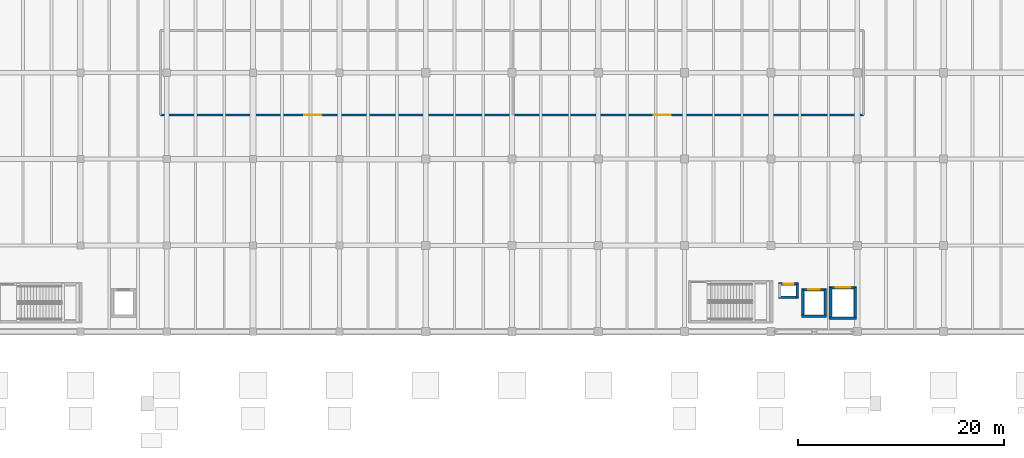
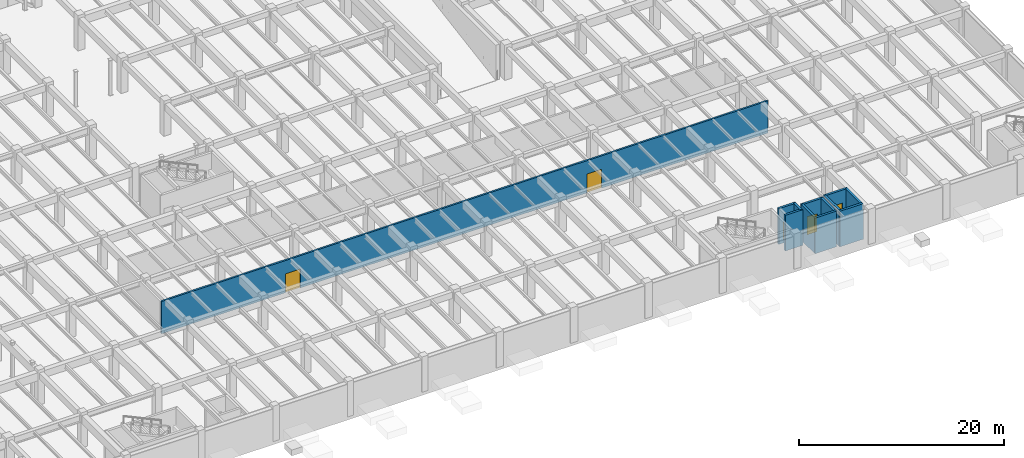
# One storey, part 45 of 63: 12 walls, 5 doors, 5 openings.
"""IFC4 building model written with IfcOpenShell, lengths in metres."""

from ifc_helpers import new_model, si_unit, direction, frame, frame_2d, origin, place, context, subcontext, project, spatial, rectangle, extrude, material, layer, layer_set, type_object, element, fill, save


model = new_model("IFC4")

# Units and contexts
model_context = context("Model", 3, precision=1e-05, world=origin(), true_north=direction((0.0, 1.0)))
body_context = subcontext(model_context, "Body", "Model", "MODEL_VIEW")
ifc_project = project(units=[si_unit("LENGTHUNIT", "METRE"), si_unit("AREAUNIT", "SQUARE_METRE"), si_unit("VOLUMEUNIT", "CUBIC_METRE"), si_unit("PLANEANGLEUNIT", "RADIAN"), si_unit("MASSUNIT", "GRAM", prefix="KILO")], contexts=[model_context])

# Site, building, storey
site_placement = place(None, origin())
site = spatial("IfcSite", under=ifc_project, at=site_placement, CompositionType="ELEMENT")
building_placement = place(site_placement, origin())
building = spatial("IfcBuilding", under=site, at=building_placement, Name="Cumbredor Promenade Congress Hotel", CompositionType="ELEMENT")
storey_placement = place(building_placement, frame((0.0, 0.0, -4.199951171875)))
storey = spatial("IfcBuildingStorey", under=building, at=storey_placement, Name="B01", CompositionType="ELEMENT", Elevation=-4.199951171875)

# Wall, openings, doors
ifc_material_1 = material(Name="Concrete C40/50", Category="concrete")
ifc_layer_1 = layer(ifc_material_1, 0.199951171875, Name="Concrete C40/50", Category="concrete")
ifc_layer_set_1 = layer_set([ifc_layer_1], Name="Concrete C40/50")
wall_type_1 = type_object("IfcWallType", Name="WL-CORE-200", PredefinedType="SOLIDWALL", material=ifc_layer_set_1)
wall_1_placement = place(storey_placement, frame((91.800048828125, 29.5, 0.0), z_axis=(0.0, 0.0, 1.0), x_axis=(1.0, 0.0, 0.0)))
wall_1 = element("IfcWall", 1, at=wall_1_placement, inside=storey, type_object=wall_type_1, Name="B01 Interior Partition W-B01-02", PredefinedType="SOLIDWALL", context=body_context, shape_type="SweptSolid", body=[
    extrude(rectangle(XDim=68.39990234375, YDim=0.199951171875, at=frame_2d((34.199951171875, 0.0))), origin(), (0.0, 0.0, 1.0), 3.849853515625),
])
opening_1_placement = place(wall_1_placement, frame((14.0, 0.0, 0.0)))
opening_1 = element("IfcOpeningElement", 2, at=opening_1_placement, cuts=wall_1, Name="Opening FD-09", PredefinedType="OPENING", context=body_context, shape_type="SweptSolid", body=[
    extrude(rectangle(XDim=1.64990234375, YDim=2.25, at=frame_2d((0.824951171875, 1.125))), frame((0.0, 0.10986328125, 0.0), z_axis=(0.0, -1.0, 0.0), x_axis=(1.0, 0.0, 0.0)), (0.0, 0.0, 1.0), 0.219970703125),
])
opening_2_placement = place(wall_1_placement, frame((48.0, 0.0, 0.0)))
opening_2 = element("IfcOpeningElement", 3, at=opening_2_placement, cuts=wall_1, Name="Opening FD-09", PredefinedType="OPENING", context=body_context, shape_type="SweptSolid", body=[
    extrude(rectangle(XDim=1.64990234375, YDim=2.25, at=frame_2d((0.824951171875, 1.125))), frame((0.0, 0.10986328125, 0.0), z_axis=(0.0, -1.0, 0.0), x_axis=(1.0, 0.0, 0.0)), (0.0, 0.0, 1.0), 0.219970703125),
])
ifc_material_2 = material(Name="Painted galvanized steel fire door", Category="steel")
door_type_1 = type_object("IfcDoorType", Name="DR-PLANT-FD60-1600", OperationType="DOUBLE_DOOR_SINGLE_SWING", PredefinedType="DOOR", material=ifc_material_2)
door_1_placement = place(opening_1_placement, origin())
door_1 = element("IfcDoor", 4, at=door_1_placement, inside=storey, type_object=door_type_1, Name="B01 Interior Door W-B01-02-01", OperationType="DOUBLE_DOOR_SINGLE_SWING", OverallHeight=2.25, OverallWidth=1.64990234375, PredefinedType="DOOR", context=body_context, shape_type="SweptSolid", body=[
    extrude(rectangle(XDim=1.64990234375, YDim=2.25, at=frame_2d((0.824951171875, 1.125))), frame((0.0, 0.02490234375, 0.0), z_axis=(0.0, -1.0, 0.0), x_axis=(1.0, 0.0, 0.0)), (0.0, 0.0, 1.0), 0.050048828125),
])
fill(opening_1, door_1)
door_2_placement = place(opening_2_placement, origin())
door_2 = element("IfcDoor", 5, at=door_2_placement, inside=storey, type_object=door_type_1, Name="B01 Interior Door W-B01-02-02", OperationType="DOUBLE_DOOR_SINGLE_SWING", OverallHeight=2.25, OverallWidth=1.64990234375, PredefinedType="DOOR", context=body_context, shape_type="SweptSolid", body=[
    extrude(rectangle(XDim=1.64990234375, YDim=2.25, at=frame_2d((0.824951171875, 1.125))), frame((0.0, 0.02490234375, 0.0), z_axis=(0.0, -1.0, 0.0), x_axis=(1.0, 0.0, 0.0)), (0.0, 0.0, 1.0), 0.050048828125),
])
fill(opening_2, door_2)

# Wall
ifc_layer_2 = layer(ifc_material_1, 0.2548828125, Name="Concrete C40/50", Category="concrete")
ifc_layer_set_2 = layer_set([ifc_layer_2], Name="Concrete C40/50")
wall_type_2 = type_object("IfcWallType", Name="WL-SHAFT-250", PredefinedType="SOLIDWALL", material=ifc_layer_set_2)
wall_2_placement = place(storey_placement, frame((154.172607421875, 9.89990234375, -0.400146484375), z_axis=(0.0, 0.0, 1.0), x_axis=(1.0, 0.0, 0.0)))
element("IfcWall", 6, at=wall_2_placement, inside=storey, type_object=wall_type_2, Name="SHAFT-PL-07-B01 Shaft Wall South", PredefinedType="SOLIDWALL", context=body_context, shape_type="SweptSolid", body=[
    extrude(rectangle(XDim=2.454833984375, YDim=0.2548828125, at=frame_2d((1.2275390625, 0.0))), origin(), (0.0, 0.0, 1.0), 4.25),
])

# Wall, opening, door
wall_3_placement = place(storey_placement, frame((154.172607421875, 12.5, -0.400146484375), z_axis=(0.0, 0.0, 1.0), x_axis=(1.0, 0.0, 0.0)))
wall_3 = element("IfcWall", 7, at=wall_3_placement, inside=storey, type_object=wall_type_2, Name="SHAFT-PL-07-B01 Shaft Wall North", PredefinedType="SOLIDWALL", context=body_context, shape_type="SweptSolid", body=[
    extrude(rectangle(XDim=2.454833984375, YDim=0.2548828125, at=frame_2d((1.2275390625, 0.0))), origin(), (0.0, 0.0, 1.0), 4.25),
])
opening_3_placement = place(wall_3_placement, frame((0.677490234375, 0.0, 0.39990234375)))
opening_3 = element("IfcOpeningElement", 8, at=opening_3_placement, cuts=wall_3, Name="Opening LD-01", PredefinedType="OPENING", context=body_context, shape_type="SweptSolid", body=[
    extrude(rectangle(XDim=1.10009765625, YDim=2.14990234375, at=frame_2d((0.550048828125, 1.074951171875))), frame((0.0, 0.137451171875, 0.0), z_axis=(0.0, -1.0, 0.0), x_axis=(1.0, 0.0, 0.0)), (0.0, 0.0, 1.0), 0.27490234375),
])
ifc_material_3 = material(Name="Brushed stainless steel", Category="steel")
door_type_2 = type_object("IfcDoorType", Name="Lift Landing Sliding Door LD-01 1100x2150", OperationType="DOUBLE_DOOR_SLIDING", PredefinedType="DOOR", material=ifc_material_3)
door_3_placement = place(opening_3_placement, origin())
door_3 = element("IfcDoor", 9, at=door_3_placement, inside=storey, type_object=door_type_2, Name="B01 Ballroom Passenger Lift PL-07 Sliding Landing Door", OperationType="DOUBLE_DOOR_SLIDING", OverallHeight=2.14990234375, OverallWidth=1.10009765625, PredefinedType="DOOR", context=body_context, shape_type="SweptSolid", body=[
    extrude(rectangle(XDim=1.10009765625, YDim=2.14990234375, at=frame_2d((0.550048828125, 1.074951171875))), frame((0.0, 0.02490234375, 0.0), z_axis=(0.0, -1.0, 0.0), x_axis=(1.0, 0.0, 0.0)), (0.0, 0.0, 1.0), 0.050048828125),
])
fill(opening_3, door_3)

# Walls
for number, where, z_axis, x_axis, name in (
    (10, (154.300048828125, 9.89990234375, -0.400146484375), (0.0, 0.0, 1.0), (0.0, 1.0, 0.0), "SHAFT-PL-07-B01 Shaft Wall West"),
    (11, (156.5, 9.89990234375, -0.400146484375), (0.0, 0.0, 1.0), (0.0, 1.0, 0.0), "SHAFT-PL-07-B01 Shaft Wall East"),
):
    element("IfcWall", number, at=place(storey_placement, frame(where, z_axis=z_axis, x_axis=x_axis)), inside=storey, type_object=wall_type_2, Name=name, PredefinedType="SOLIDWALL", context=body_context, shape_type="SweptSolid", body=[
        extrude(rectangle(XDim=2.60009765625, YDim=0.2548828125, at=frame_2d((1.300048828125, 0.0))), origin(), (0.0, 0.0, 1.0), 4.25),
    ])
wall_4_placement = place(storey_placement, frame((156.87255859375, 9.699951171875, -0.400146484375), z_axis=(0.0, 0.0, 1.0), x_axis=(1.0, 0.0, 0.0)))
element("IfcWall", 12, at=wall_4_placement, inside=storey, type_object=wall_type_2, Name="SHAFT-SV-02-B01 Shaft Wall South", PredefinedType="SOLIDWALL", context=body_context, shape_type="SweptSolid", body=[
    extrude(rectangle(XDim=2.655029296875, YDim=0.2548828125, at=frame_2d((1.32763671875, 0.0))), origin(), (0.0, 0.0, 1.0), 4.25),
])

# Wall, opening, door
wall_5_placement = place(storey_placement, frame((156.87255859375, 12.699951171875, -0.400146484375), z_axis=(0.0, 0.0, 1.0), x_axis=(1.0, 0.0, 0.0)))
wall_5 = element("IfcWall", 13, at=wall_5_placement, inside=storey, type_object=wall_type_2, Name="SHAFT-SV-02-B01 Shaft Wall North", PredefinedType="SOLIDWALL", context=body_context, shape_type="SweptSolid", body=[
    extrude(rectangle(XDim=2.655029296875, YDim=0.2548828125, at=frame_2d((1.32763671875, 0.0))), origin(), (0.0, 0.0, 1.0), 4.25),
])
opening_4_placement = place(wall_5_placement, frame((0.62744140625, 0.0, 0.39990234375)))
opening_4 = element("IfcOpeningElement", 14, at=opening_4_placement, cuts=wall_5, Name="Opening LD-03", PredefinedType="OPENING", context=body_context, shape_type="SweptSolid", body=[
    extrude(rectangle(XDim=1.39990234375, YDim=2.300048828125, at=frame_2d((0.699951171875, 1.14990234375))), frame((0.0, 0.137451171875, 0.0), z_axis=(0.0, -1.0, 0.0), x_axis=(1.0, 0.0, 0.0)), (0.0, 0.0, 1.0), 0.27490234375),
])
door_type_3 = type_object("IfcDoorType", Name="Service Lift Sliding Door LD-03 1400x2300", OperationType="DOUBLE_DOOR_SLIDING", PredefinedType="DOOR", material=ifc_material_3)
door_4_placement = place(opening_4_placement, origin())
door_4 = element("IfcDoor", 15, at=door_4_placement, inside=storey, type_object=door_type_3, Name="B01 Ballroom Service Lift SV-02 Sliding Landing Door", OperationType="DOUBLE_DOOR_SLIDING", OverallHeight=2.300048828125, OverallWidth=1.39990234375, PredefinedType="DOOR", context=body_context, shape_type="SweptSolid", body=[
    extrude(rectangle(XDim=1.39990234375, YDim=2.300048828125, at=frame_2d((0.699951171875, 1.14990234375))), frame((0.0, 0.02490234375, 0.0), z_axis=(0.0, -1.0, 0.0), x_axis=(1.0, 0.0, 0.0)), (0.0, 0.0, 1.0), 0.050048828125),
])
fill(opening_4, door_4)

# Walls
for number, where, z_axis, x_axis, name in (
    (16, (157.0, 9.699951171875, -0.400146484375), (0.0, 0.0, 1.0), (0.0, 1.0, 0.0), "SHAFT-SV-02-B01 Shaft Wall West"),
    (17, (159.39990234375, 9.699951171875, -0.400146484375), (0.0, 0.0, 1.0), (0.0, 1.0, 0.0), "SHAFT-SV-02-B01 Shaft Wall East"),
):
    element("IfcWall", number, at=place(storey_placement, frame(where, z_axis=z_axis, x_axis=x_axis)), inside=storey, type_object=wall_type_2, Name=name, PredefinedType="SOLIDWALL", context=body_context, shape_type="SweptSolid", body=[
        extrude(rectangle(XDim=3.0, YDim=0.2548828125, at=frame_2d((1.5, 0.0))), origin(), (0.0, 0.0, 1.0), 4.25),
    ])
wall_6_placement = place(storey_placement, frame((151.922607421875, 11.75, -0.400146484375), z_axis=(0.0, 0.0, 1.0), x_axis=(1.0, 0.0, 0.0)))
element("IfcWall", 18, at=wall_6_placement, inside=storey, type_object=wall_type_2, Name="RISER-MEP-R3-B01 Shaft Wall South", PredefinedType="SOLIDWALL", context=body_context, shape_type="SweptSolid", body=[
    extrude(rectangle(XDim=1.954833984375, YDim=0.2548828125, at=frame_2d((0.9775390625, 0.0))), origin(), (0.0, 0.0, 1.0), 4.25),
])

# Wall, opening, door
wall_7_placement = place(storey_placement, frame((151.922607421875, 13.050048828125, -0.400146484375), z_axis=(0.0, 0.0, 1.0), x_axis=(1.0, 0.0, 0.0)))
wall_7 = element("IfcWall", 19, at=wall_7_placement, inside=storey, type_object=wall_type_2, Name="RISER-MEP-R3-B01 Shaft Wall North", PredefinedType="SOLIDWALL", context=body_context, shape_type="SweptSolid", body=[
    extrude(rectangle(XDim=1.954833984375, YDim=0.2548828125, at=frame_2d((0.9775390625, 0.0))), origin(), (0.0, 0.0, 1.0), 4.25),
])
opening_5_placement = place(wall_7_placement, frame((0.507568359375, 0.0, 0.39990234375)))
opening_5 = element("IfcOpeningElement", 20, at=opening_5_placement, cuts=wall_7, Name="Opening FD-03", PredefinedType="OPENING", context=body_context, shape_type="SweptSolid", body=[
    extrude(rectangle(XDim=0.93994140625, YDim=2.10009765625, at=frame_2d((0.469970703125, 1.050048828125))), frame((0.0, 0.137451171875, 0.0), z_axis=(0.0, -1.0, 0.0), x_axis=(1.0, 0.0, 0.0)), (0.0, 0.0, 1.0), 0.27490234375),
])
door_type_4 = type_object("IfcDoorType", Name="DR-SGL-FD60-950", OperationType="NOTDEFINED", PredefinedType="DOOR", material=ifc_material_2)
door_5_placement = place(opening_5_placement, origin())
door_5 = element("IfcDoor", 21, at=door_5_placement, inside=storey, type_object=door_type_4, Name="B01 Ballroom MEP Riser Shaft R3 Access Door", OperationType="SINGLE_SWING_LEFT", OverallHeight=2.10009765625, OverallWidth=0.93994140625, PredefinedType="DOOR", context=body_context, shape_type="SweptSolid", body=[
    extrude(rectangle(XDim=0.93994140625, YDim=2.10009765625, at=frame_2d((0.469970703125, 1.050048828125))), frame((0.0, 0.02490234375, 0.0), z_axis=(0.0, -1.0, 0.0), x_axis=(1.0, 0.0, 0.0)), (0.0, 0.0, 1.0), 0.050048828125),
])
fill(opening_5, door_5)

# Wall
wall_8_placement = place(storey_placement, frame((153.75, 11.75, -0.400146484375), z_axis=(0.0, 0.0, 1.0), x_axis=(0.0, 1.0, 0.0)))
element("IfcWall", 22, at=wall_8_placement, inside=storey, type_object=wall_type_2, Name="RISER-MEP-R3-B01 Shaft Wall East", PredefinedType="SOLIDWALL", context=body_context, shape_type="SweptSolid", body=[
    extrude(rectangle(XDim=1.300048828125, YDim=0.2548828125, at=frame_2d((0.64990234375, 0.0))), origin(), (0.0, 0.0, 1.0), 4.25),
])

save(model, "model.ifc")
